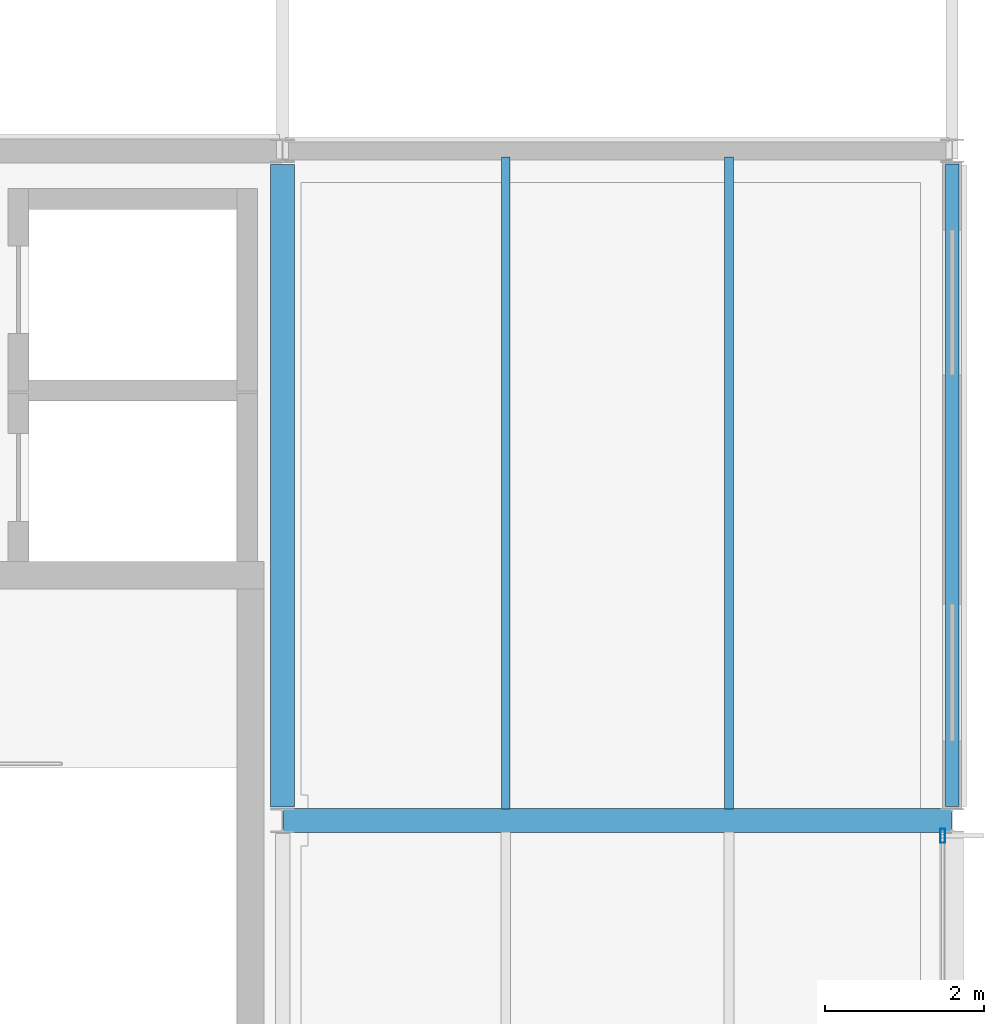
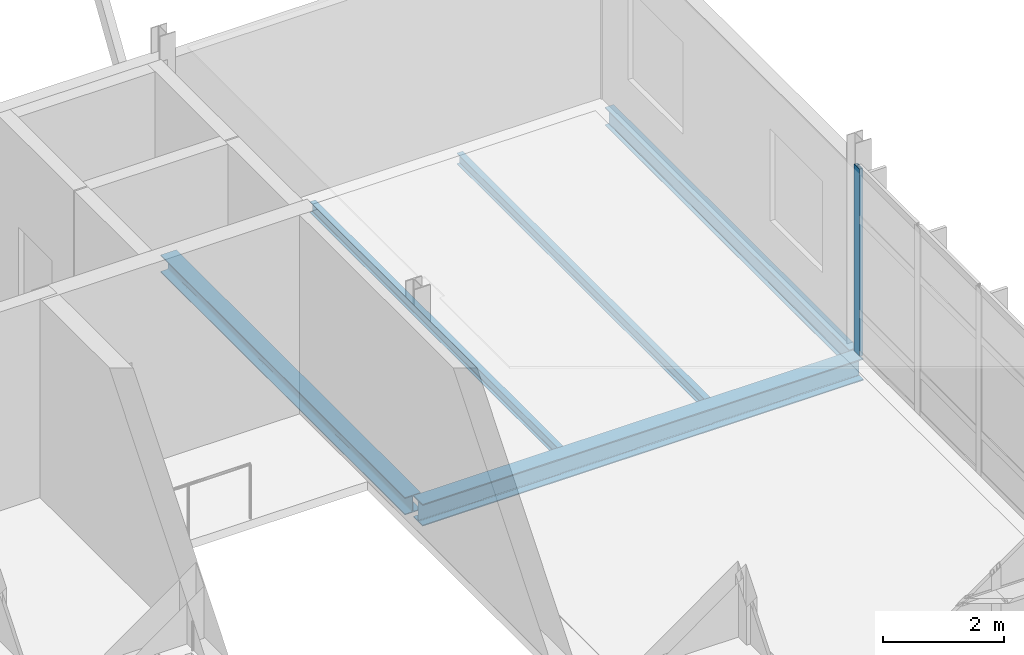
# One storey, part 25 of 35: 5 beams, 1 member, 1 element without a shape of its own.
"""IFC4 building model written with IfcOpenShell, lengths in metres."""

from ifc_helpers import new_model, si_unit, direction, frame, origin, origin_2d, place, context, subcontext, project, spatial, hollow_rectangle, i_section, extrude, material, material_profile, profile_set, type_object, element, aggregate, save


model = new_model("IFC4")

# Units and contexts
model_context = context("Model", 3, precision=1e-05, world=origin(), true_north=direction((0.0, 1.0)))
body_context = subcontext(model_context, "Body", "Model", "MODEL_VIEW")
ifc_project = project(units=[si_unit("LENGTHUNIT", "METRE"), si_unit("AREAUNIT", "SQUARE_METRE"), si_unit("VOLUMEUNIT", "CUBIC_METRE"), si_unit("PLANEANGLEUNIT", "RADIAN"), si_unit("MASSUNIT", "GRAM", prefix="KILO")], contexts=[model_context])

# Site, building, storey
site_placement = place(None, origin())
site = spatial("IfcSite", under=ifc_project, at=site_placement, CompositionType="ELEMENT")
building_placement = place(site_placement, origin())
building = spatial("IfcBuilding", under=site, at=building_placement, Name="Mersafa Astral City Hall", CompositionType="ELEMENT")
storey_placement = place(building_placement, frame((0.0, 0.0, 30.14990234375)))
storey = spatial("IfcBuildingStorey", under=building, at=storey_placement, Name="L07", CompositionType="ELEMENT", Elevation=30.14990234375)

# Curtain wall, member
ifc_material_1 = material(Name="Anodised bronze aluminium framing", Category="aluminium")
curtain_wall_type = type_object("IfcCurtainWallType", Name="ENV-CW-3", PredefinedType="USERDEFINED", material=ifc_material_1)
curtain_wall_placement = place(storey_placement, origin())
curtain_wall = element("IfcCurtainWall", 1, at=curtain_wall_placement, inside=storey, type_object=curtain_wall_type, Name="L07 Unitised solar curtain wall 272", ObjectType="UNITISED CURTAIN WALL", PredefinedType="USERDEFINED")
ifc_material_profile_1 = material_profile(ifc_material_1, hollow_rectangle(XDim=0.06005859375, YDim=0.179931640625, WallThickness=0.00390625, at=origin_2d()), Name="RHS 60x180x4")
ifc_profile_set_1 = profile_set([ifc_material_profile_1], Name="Anodised bronze aluminium framing")
member_type = type_object("IfcMemberType", Name="ENV-CW-MUL-1", PredefinedType="MULLION", material=ifc_profile_set_1)
member_placement = place(storey_placement, frame((184.679931640625, 117.407958984375, -0.001953125), z_axis=(0.0, 0.0, 1.0), x_axis=(-1.0, 0.0, 0.0)))
member = element("IfcMember", 2, at=member_placement, type_object=member_type, Name="CW-3 mullion 5", PredefinedType="MULLION", context=body_context, shape_type="SweptSolid", body=[
    extrude(hollow_rectangle(XDim=0.06005859375, YDim=0.179931640625, WallThickness=0.00390625, at=origin_2d()), origin(), (0.0, 0.0, 1.0), 3.76904296875),
])
aggregate(curtain_wall, [member])

# Beams
ifc_material_2 = material(Name="Steel S355", Category="steel")
ifc_material_profile_2 = material_profile(ifc_material_2, i_section(OverallWidth=0.300048828125, OverallDepth=0.35009765625, WebThickness=0.010009765625, FlangeThickness=0.017578125, FilletRadius=0.027099609375, at=origin_2d()), Name="HEA 360")
ifc_profile_set_2 = profile_set([ifc_material_profile_2], Name="Steel S355")
beam_type_1 = type_object("IfcBeamType", Name="STR-BM-HEA360", PredefinedType="BEAM", material=ifc_profile_set_2)
beam_1_placement = place(storey_placement, frame((176.39990234375, 117.764892578125, -0.349853515625), z_axis=(0.0, 1.0, 0.0), x_axis=(-1.0, 0.0, 0.0)))
element("IfcBeam", 3, at=beam_1_placement, inside=storey, type_object=beam_type_1, Name="L07 Primary girder Y 21-14", PredefinedType="BEAM", context=body_context, shape_type="SweptSolid", body=[
    extrude(i_section(OverallWidth=0.300048828125, OverallDepth=0.35009765625, WebThickness=0.010009765625, FlangeThickness=0.017578125, FilletRadius=0.027099609375, at=origin_2d()), origin(), (0.0, 0.0, 1.0), 8.06005859375),
])
ifc_material_profile_3 = material_profile(ifc_material_2, i_section(OverallWidth=0.300048828125, OverallDepth=0.43994140625, WebThickness=0.011474609375, FlangeThickness=0.02099609375, FilletRadius=0.027099609375, at=origin_2d()), Name="HEA 450")
ifc_profile_set_3 = profile_set([ifc_material_profile_3], Name="Steel S355")
beam_type_2 = type_object("IfcBeamType", Name="STR-BM-HEA450", PredefinedType="BEAM", material=ifc_profile_set_3)
beam_2_placement = place(storey_placement, frame((176.403076171875, 117.60009765625, -0.39501953125), z_axis=(1.0, 0.0, 0.0), x_axis=(0.0, 1.0, 0.0)))
element("IfcBeam", 4, at=beam_2_placement, inside=storey, type_object=beam_type_2, Name="L07 Primary girder X 21-14", PredefinedType="BEAM", context=body_context, shape_type="SweptSolid", body=[
    extrude(i_section(OverallWidth=0.300048828125, OverallDepth=0.43994140625, WebThickness=0.011474609375, FlangeThickness=0.02099609375, FilletRadius=0.027099609375, at=origin_2d()), origin(), (0.0, 0.0, 1.0), 8.39404296875),
])
ifc_material_profile_4 = material_profile(ifc_material_2, i_section(OverallWidth=0.110107421875, OverallDepth=0.219970703125, WebThickness=0.005859375, FlangeThickness=0.00927734375, FilletRadius=0.011962890625, at=origin_2d()), Name="IPE 220")
ifc_profile_set_4 = profile_set([ifc_material_profile_4], Name="Steel S355")
beam_type_3 = type_object("IfcBeamType", Name="STR-BM-JOIST-IPE220", PredefinedType="JOIST", material=ifc_profile_set_4)
for number, where, z_axis, x_axis, name in (
    (5, (179.199951171875, 117.7451171875, -0.284912109375), (0.0, 1.0, 0.0), (-1.0, 0.0, 0.0), "L07 Composite secondary floor joist 920"),
    (6, (182.0, 117.7451171875, -0.284912109375), (0.0, 1.0, 0.0), (-1.0, 0.0, 0.0), "L07 Composite secondary floor joist 921"),
):
    element("IfcBeam", number, at=place(storey_placement, frame(where, z_axis=z_axis, x_axis=x_axis)), inside=storey, type_object=beam_type_3, Name=name, PredefinedType="JOIST", context=body_context, shape_type="SweptSolid", body=[
        extrude(i_section(OverallWidth=0.110107421875, OverallDepth=0.219970703125, WebThickness=0.005859375, FlangeThickness=0.00927734375, FilletRadius=0.011962890625, at=origin_2d()), origin(), (0.0, 0.0, 1.0), 8.1748046875),
    ])
ifc_material_profile_5 = material_profile(ifc_material_2, i_section(OverallWidth=0.169921875, OverallDepth=0.360107421875, WebThickness=0.008056640625, FlangeThickness=0.0126953125, FilletRadius=0.01806640625, at=origin_2d()), Name="IPE 360")
ifc_profile_set_5 = profile_set([ifc_material_profile_5], Name="Steel S355")
beam_type_4 = type_object("IfcBeamType", Name="STR-BM-SPANDREL-IPE360", PredefinedType="SPANDREL", material=ifc_profile_set_5)
beam_3_placement = place(storey_placement, frame((184.800048828125, 117.77490234375, -0.35498046875), z_axis=(0.0, 1.0, 0.0), x_axis=(-1.0, 0.0, 0.0)))
element("IfcBeam", 7, at=beam_3_placement, inside=storey, type_object=beam_type_4, Name="L07 Primary girder Y 22-14", PredefinedType="SPANDREL", context=body_context, shape_type="SweptSolid", body=[
    extrude(i_section(OverallWidth=0.169921875, OverallDepth=0.360107421875, WebThickness=0.008056640625, FlangeThickness=0.0126953125, FilletRadius=0.01806640625, at=origin_2d()), origin(), (0.0, 0.0, 1.0), 8.06005859375),
])

save(model, "model.ifc")
